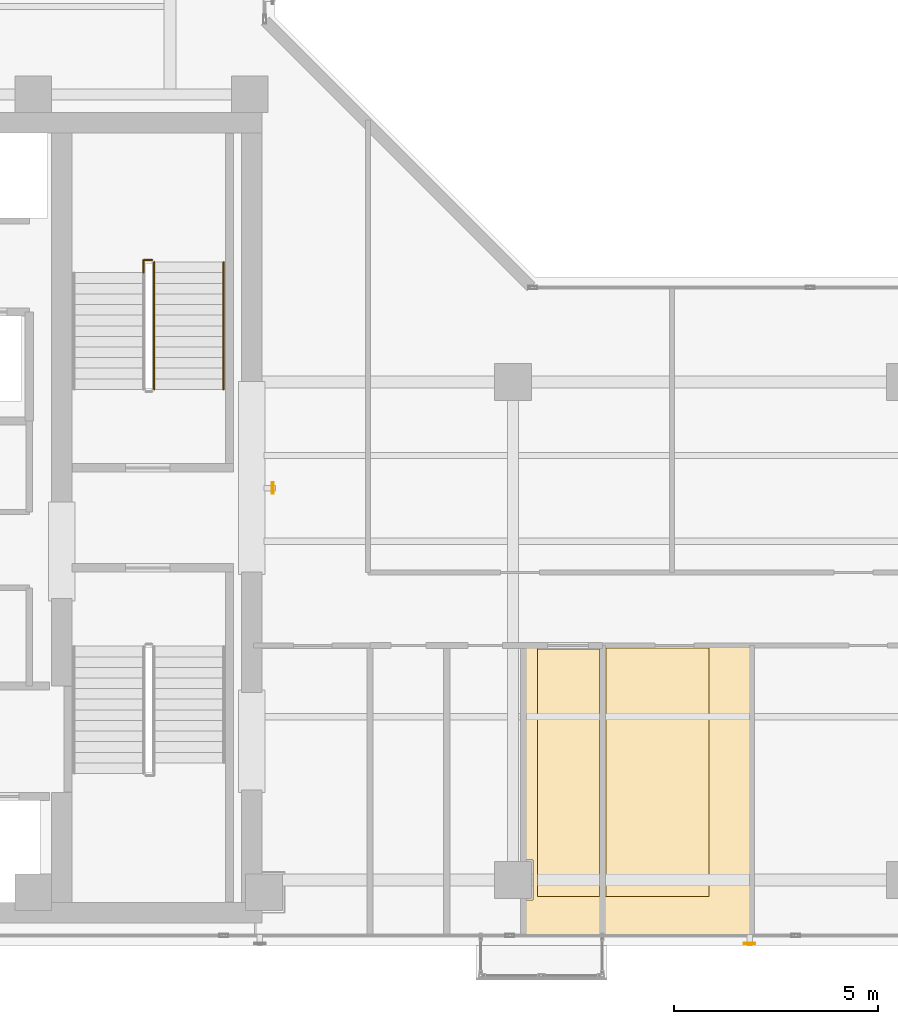
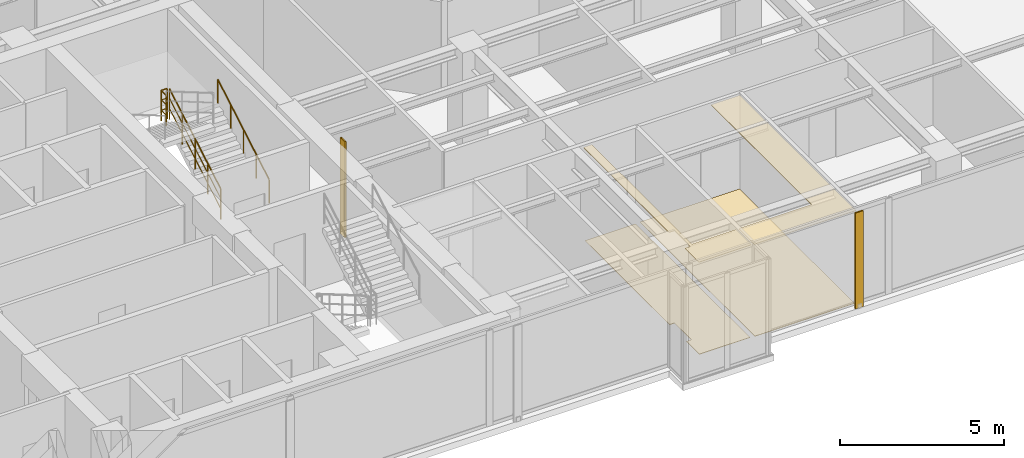
# One storey, part 21 of 22: 4 coverings, 3 railings, 2 shading devices.
"""IFC4 building model written with IfcOpenShell, lengths in metres."""

import ifcopenshell
import ifcopenshell.guid

model = None  # the IFC model being written
_history = None  # IfcOwnerHistory: only IFC2X3 demands one
_inside = {}  # id of a spatial element -> (the spatial element, [elements in it])
_under = {}  # id of a project, library or spatial element -> (it, [spatial elements below it])
_declared = {}  # id of a project -> (the project, [libraries it declares])
_typed = {}  # id of a type object -> (the type object, [elements of that type])
_made_of = {}  # id of a material, layer set ... -> (it, [elements and type objects made of it])


def new_model(schema):
    """Start an empty IFC model of exactly this schema.

    Asked for "IFC4X3", IfcOpenShell would pick the latest addendum, in which some entities
    have other attributes; the version numbers below select the first issue.
    IFC2X3 requires an IfcOwnerHistory on every rooted entity: one is made here for all.
    """
    global model, _history
    if schema == "IFC4X3":
        model = ifcopenshell.file(schema_version=(4, 3, 0, 0))
    else:
        model = ifcopenshell.file(schema=schema)
    _inside.clear()
    _under.clear()
    _declared.clear()
    _typed.clear()
    _made_of.clear()
    _history = None
    if model.schema == "IFC2X3":
        org = make("IfcOrganization", Name="unknown")
        user = make(
            "IfcPersonAndOrganization",
            ThePerson=make("IfcPerson", FamilyName="unknown"),
            TheOrganization=org,
        )
        app = make(
            "IfcApplication",
            ApplicationDeveloper=org,
            Version="unknown",
            ApplicationFullName="unknown",
            ApplicationIdentifier="unknown",
        )
        _history = make(
            "IfcOwnerHistory",
            OwningUser=user,
            OwningApplication=app,
            ChangeAction="ADDED",
            CreationDate=0,
        )
    return model


def make(cls, **values):
    """One entity of the class cls with the attributes given. An attribute that is None is left unset."""
    return model.create_entity(
        cls, **{name: value for name, value in values.items() if value is not None}
    )


def rooted(cls, **values):
    """An entity with a GlobalId (a new one), such as an element, a storey or a relation."""
    return make(cls, GlobalId=ifcopenshell.guid.new(), OwnerHistory=_history, **values)


def si_unit(unit_type, name, prefix=None):
    """IfcSIUnit, for example si_unit("LENGTHUNIT", "METRE", prefix="MILLI")."""
    return make("IfcSIUnit", UnitType=unit_type, Prefix=prefix, Name=name)


def assignment(units):
    """IfcUnitAssignment: the units of a project."""
    return None if units is None else make("IfcUnitAssignment", Units=units)


def point(xyz):
    """IfcCartesianPoint."""
    return None if xyz is None else make("IfcCartesianPoint", Coordinates=xyz)


def direction(xyz):
    """IfcDirection."""
    return None if xyz is None else make("IfcDirection", DirectionRatios=xyz)


def frame(location, z_axis=None, x_axis=None):
    """IfcAxis2Placement3D, a coordinate frame: its origin and axes. An axis left out is left unset."""
    return make(
        "IfcAxis2Placement3D",
        Location=point(location),
        Axis=direction(z_axis),
        RefDirection=direction(x_axis),
    )


def frame_2d(location, x_axis=None):
    """IfcAxis2Placement2D, a coordinate frame in the plane: its origin and x axis."""
    return make(
        "IfcAxis2Placement2D", Location=point(location), RefDirection=direction(x_axis)
    )


def origin():
    """The frame at (0, 0, 0) with its axes left unset."""
    return frame((0.0, 0.0, 0.0))


def origin_2d():
    """The frame at (0, 0) in the plane with its x axis left unset."""
    return frame_2d((0.0, 0.0))


def place(relative_to, where):
    """IfcLocalPlacement: puts the frame where relative to a parent placement (None: the world)."""
    return make(
        "IfcLocalPlacement", PlacementRelTo=relative_to, RelativePlacement=where
    )


def context(
    kind, dimensions, precision=None, world=None, true_north=None, identifier=None
):
    """IfcGeometricRepresentationContext, for example the 3D "Model" context."""
    return make(
        "IfcGeometricRepresentationContext",
        ContextIdentifier=identifier,
        ContextType=kind,
        CoordinateSpaceDimension=dimensions,
        Precision=precision,
        WorldCoordinateSystem=world,
        TrueNorth=true_north,
    )


def subcontext(parent, identifier, kind, view, scale=None):
    """IfcGeometricRepresentationSubContext, for example "Body" below "Model"."""
    return make(
        "IfcGeometricRepresentationSubContext",
        ContextIdentifier=identifier,
        ContextType=kind,
        ParentContext=parent,
        TargetScale=scale,
        TargetView=view,
    )


def project(units=None, contexts=None):
    """IfcProject with its units and contexts."""
    return rooted(
        "IfcProject",
        Name="project",
        RepresentationContexts=contexts,
        UnitsInContext=assignment(units),
    )


def spatial(cls, under=None, at=None, **own):
    """A site, building, storey or space (cls), placed at a placement, below another one or the project."""
    s = rooted(cls, ObjectPlacement=at, **own)
    if under is not None:
        _under.setdefault(under.id(), (under, []))[1].append(s)
    return s


def polyline(points):
    """IfcPolyline through the points."""
    return make("IfcPolyline", Points=[point(p) for p in points])


def profile(cls, at=None, kind="AREA", **sizes):
    """A parametric profile (cls). Its sizes go by their IFC names, for example OverallWidth=200.0."""
    return make(cls, ProfileType=kind, Position=at, **sizes)


def hollow_rectangle(**sizes):
    """IfcRectangleHollowProfileDef."""
    return profile("IfcRectangleHollowProfileDef", **sizes)


def circle(**sizes):
    """IfcCircleProfileDef."""
    return profile("IfcCircleProfileDef", **sizes)


def outline(outer, holes=None, kind="AREA"):
    """IfcArbitraryClosedProfileDef: a profile drawn as a closed curve; with holes, ...WithVoids."""
    if holes is None:
        return make("IfcArbitraryClosedProfileDef", ProfileType=kind, OuterCurve=outer)
    return make(
        "IfcArbitraryProfileDefWithVoids",
        ProfileType=kind,
        OuterCurve=outer,
        InnerCurves=holes,
    )


def extrude(swept, where, along, depth):
    """IfcExtrudedAreaSolid: the profile swept, set in the frame where, extruded along a direction by depth."""
    return make(
        "IfcExtrudedAreaSolid",
        SweptArea=swept,
        Position=where,
        ExtrudedDirection=direction(along),
        Depth=depth,
    )


def shape(context_of_items, identifier, shape_type, items):
    """IfcShapeRepresentation: the items that make up one representation, for example the "Body"."""
    return make(
        "IfcShapeRepresentation",
        ContextOfItems=context_of_items,
        RepresentationIdentifier=identifier,
        RepresentationType=shape_type,
        Items=items,
    )


def material(Name=None, Category=None):
    """IfcMaterial."""
    return make("IfcMaterial", Name=Name, Category=Category)


def layer(
    of_material, thickness, ventilated=None, Name=None, Category=None, Priority=None
):
    """IfcMaterialLayer: one layer of a wall or slab, of a material (None: an air gap)."""
    return make(
        "IfcMaterialLayer",
        Material=of_material,
        LayerThickness=thickness,
        IsVentilated=ventilated,
        Name=Name,
        Category=Category,
        Priority=Priority,
    )


def layer_set(layers, Name=None):
    """IfcMaterialLayerSet."""
    return make("IfcMaterialLayerSet", MaterialLayers=layers, LayerSetName=Name)


def material_profile(
    of_material, cross_section, Name=None, Category=None, Priority=None
):
    """IfcMaterialProfile: a cross section and its material."""
    return make(
        "IfcMaterialProfile",
        Name=Name,
        Material=of_material,
        Profile=cross_section,
        Priority=Priority,
        Category=Category,
    )


def profile_set(profiles, Name=None, composite=None):
    """IfcMaterialProfileSet."""
    return make(
        "IfcMaterialProfileSet",
        Name=Name,
        MaterialProfiles=profiles,
        CompositeProfile=composite,
    )


def made_of(thing, what):
    """Note that an element or type object is made of a material, layer set ...; save() writes the relation."""
    if what is not None:
        _made_of.setdefault(what.id(), (what, []))[1].append(thing)
    return thing


def type_object(cls, material=None, **own):
    """A type object (cls), such as IfcWallType, which elements share."""
    return made_of(rooted(cls, **own), material)


def element(
    cls,
    number,
    at=None,
    inside=None,
    cuts=None,
    type_object=None,
    material=None,
    context=None,
    identifier="Body",
    shape_type=None,
    held_by="IfcProductDefinitionShape",
    body=None,
    shapes=None,
    **own,
):
    """One element of the class cls, such as IfcWall. Its Tag is "e" and its number.

    at: its placement. inside: the storey or other place that contains it. cuts: it is an
    opening in that element (IfcRelVoidsElement). A single representation is given by context,
    identifier, shape_type and body (its items); several are given by shapes. held_by: the class
    of the entity that holds the representations. save() writes the other relations.
    """
    e = rooted(cls, Tag="e%d" % number, ObjectPlacement=at, **own)
    if body is not None:
        shapes = [shape(context, identifier, shape_type, body)]
    if shapes is not None:
        e.Representation = make(held_by, Representations=shapes)
    if inside is not None:
        _inside.setdefault(inside.id(), (inside, []))[1].append(e)
    if cuts is not None:
        rooted(
            "IfcRelVoidsElement", RelatingBuildingElement=cuts, RelatedOpeningElement=e
        )
    if type_object is not None:
        _typed.setdefault(type_object.id(), (type_object, []))[1].append(e)
    return made_of(e, material)


def aggregate(whole, parts):
    """IfcRelAggregates: a whole, such as a stair, and the parts it consists of."""
    return rooted("IfcRelAggregates", RelatingObject=whole, RelatedObjects=parts)


def save(model, path):
    """Write the relations noted so far, then the file.

    IfcRelAggregates (storeys below a building ...), IfcRelContainedInSpatialStructure (elements
    in a storey), IfcRelDefinesByType, IfcRelAssociatesMaterial and IfcRelDeclares: one each for
    every whole, place, type object, material and project.
    """
    for whole, parts in _under.values():
        aggregate(whole, parts)
    for where, things in _inside.values():
        rooted(
            "IfcRelContainedInSpatialStructure",
            RelatedElements=things,
            RelatingStructure=where,
        )
    for kind, things in _typed.values():
        rooted("IfcRelDefinesByType", RelatedObjects=things, RelatingType=kind)
    for what, things in _made_of.values():
        rooted("IfcRelAssociatesMaterial", RelatedObjects=things, RelatingMaterial=what)
    for by, libraries in _declared.values():
        rooted("IfcRelDeclares", RelatingContext=by, RelatedDefinitions=libraries)
    model.write(path)


model = new_model("IFC4")

# Units and contexts
model_context = context("Model", 3, precision=1e-05, world=origin(), true_north=direction((0.0, 1.0)))
body_context = subcontext(model_context, "Body", "Model", "MODEL_VIEW")
ifc_project = project(units=[si_unit("LENGTHUNIT", "METRE"), si_unit("AREAUNIT", "SQUARE_METRE"), si_unit("VOLUMEUNIT", "CUBIC_METRE"), si_unit("PLANEANGLEUNIT", "RADIAN"), si_unit("MASSUNIT", "GRAM", prefix="KILO")], contexts=[model_context])

# Site, building, storey
site_placement = place(None, origin())
site = spatial("IfcSite", under=ifc_project, at=site_placement, CompositionType="ELEMENT")
building_placement = place(site_placement, origin())
building = spatial("IfcBuilding", under=site, at=building_placement, Name="Kolvaren Waterfront Exchange", CompositionType="ELEMENT")
storey_placement = place(building_placement, frame((0.0, 0.0, 278.0)))
storey = spatial("IfcBuildingStorey", under=building, at=storey_placement, Name="L71", CompositionType="ELEMENT", Elevation=278.0)

# Coverings
ifc_material_1 = material(Name="Mineral fibre acoustic ceiling tile")
ifc_layer_1 = layer(ifc_material_1, 0.02490234375, Name="Mineral fibre acoustic ceiling tile")
ifc_layer_set_1 = layer_set([ifc_layer_1], Name="Mineral fibre acoustic ceiling tile")
covering_type_1 = type_object("IfcCoveringType", Name="ARC-CEIL-ACOUSTIC-25", PredefinedType="CEILING", material=ifc_layer_set_1)
covering_1_placement = place(storey_placement, frame((0.0, 0.0, 3.445068359375)))
element("IfcCovering", 1, at=covering_1_placement, inside=storey, type_object=covering_type_1, Name="L71 acoustic suspended ceiling 1", PredefinedType="CEILING", context=body_context, shape_type="SweptSolid", body=[
    extrude(outline(polyline([(27.5048828125, 5.68994140625), (27.68994140625, 5.68994140625), (27.68994140625, 4.7099609375), (27.5048828125, 4.7099609375), (27.5048828125, 3.864990234375), (29.35498046875, 3.864990234375), (29.35498046875, 4.800048828125), (27.800048828125, 4.800048828125), (27.800048828125, 10.89501953125), (27.5048828125, 10.89501953125), (27.5048828125, 5.68994140625)])), origin(), (0.0, 0.0, 1.0), 0.02490234375),
])
covering_2_placement = place(storey_placement, frame((0.0, 0.0, 3.445068359375)))
element("IfcCovering", 2, at=covering_2_placement, inside=storey, type_object=covering_type_1, Name="L71 acoustic suspended ceiling 3", PredefinedType="CEILING", context=body_context, shape_type="SweptSolid", body=[
    extrude(outline(polyline([(33.014892578125, 3.844970703125), (33.014892578125, 10.9150390625), (32.0, 10.9150390625), (32.0, 4.800048828125), (29.445068359375, 4.800048828125), (29.445068359375, 3.844970703125), (33.014892578125, 3.844970703125)])), origin(), (0.0, 0.0, 1.0), 0.02490234375),
])

# Shading devices
ifc_material_2 = material(Name="Anodised bronze aluminium 6063-T6", Category="aluminium")
ifc_material_profile = material_profile(ifc_material_2, hollow_rectangle(XDim=0.054931640625, YDim=0.280029296875, WallThickness=0.00439453125, at=origin_2d()), Name="BRZ-FIN-280x55x4.5")
ifc_profile_set = profile_set([ifc_material_profile], Name="Anodised bronze aluminium 6063-T6")
shading_device_type = type_object("IfcShadingDeviceType", Name="ARC-FIN-280", PredefinedType="USERDEFINED", material=ifc_profile_set)
for number, where, z_axis, x_axis, name in (
    (3, (33.0, 3.639892578125, 0.0), (0.0, 0.0, 1.0), (0.0, -1.0, 0.0), "L71 anodised bronze solar shading fin FIN-L71-S3"),
    (4, (21.31787109375, 14.800048828125, 0.0), (0.0, 0.0, 1.0), (1.0, 0.0, 0.0), "L71 anodised bronze solar shading fin FIN-L71-E1"),
):
    element("IfcShadingDevice", number, at=place(storey_placement, frame(where, z_axis=z_axis, x_axis=x_axis)), inside=storey, type_object=shading_device_type, Name=name, ObjectType="SOLAR FIN", PredefinedType="USERDEFINED", context=body_context, shape_type="SweptSolid", body=[
        extrude(hollow_rectangle(XDim=0.054931640625, YDim=0.280029296875, WallThickness=0.00439453125, at=origin_2d()), origin(), (0.0, 0.0, 1.0), 3.56005859375),
    ])

# Coverings
ifc_material_3 = material(Name="Slip-resistant porcelain tile")
ifc_layer_2 = layer(ifc_material_3, 0.014892578125, Name="Slip-resistant porcelain tile")
ifc_layer_set_2 = layer_set([ifc_layer_2], Name="Slip-resistant porcelain tile")
covering_type_2 = type_object("IfcCoveringType", Name="ARC-FLR-PORC-15", PredefinedType="FLOORING", material=ifc_layer_set_2)
covering_3_placement = place(storey_placement, origin())
element("IfcCovering", 5, at=covering_3_placement, inside=storey, type_object=covering_type_2, Name="L71 floor finish 1", PredefinedType="FLOORING", context=body_context, shape_type="SweptSolid", body=[
    extrude(outline(polyline([(27.5400390625, 4.68994140625), (27.5400390625, 3.89990234375), (29.320068359375, 3.89990234375), (29.320068359375, 10.860107421875), (27.5400390625, 10.860107421875), (27.5400390625, 5.7099609375), (27.7099609375, 5.7099609375), (27.7099609375, 4.68994140625), (27.5400390625, 4.68994140625)])), origin(), (0.0, 0.0, 1.0), 0.014892578125),
])
covering_4_placement = place(storey_placement, origin())
element("IfcCovering", 6, at=covering_4_placement, inside=storey, type_object=covering_type_2, Name="L71 floor finish 3", PredefinedType="FLOORING", context=body_context, shape_type="SweptSolid", body=[
    extrude(outline(polyline([(29.47998046875, 10.8798828125), (29.47998046875, 3.8798828125), (32.97998046875, 3.8798828125), (32.97998046875, 10.8798828125), (29.47998046875, 10.8798828125)])), origin(), (0.0, 0.0, 1.0), 0.014892578125),
])

# Railings
ifc_material_4 = material(Name="Stainless steel 316", Category="steel")
railing_type_1 = type_object("IfcRailingType", Name="ARC-GUARD-STAIR", PredefinedType="GUARDRAIL", material=ifc_material_4)
railing_1_placement = place(storey_placement, frame((18.409912109375, 17.219970703125, 0.152099609375)))
element("IfcRailing", 7, at=railing_1_placement, inside=storey, type_object=railing_type_1, Name="L71 ST2 stair guard 1", PredefinedType="GUARDRAIL", context=body_context, shape_type="SweptSolid", body=[
    extrude(circle(Radius=0.02392578125, at=origin_2d()), frame((0.0, 0.0, 1.1259765625), z_axis=(0.0, 0.86330811405, 0.504677223793), x_axis=(-1.0, 0.0, 0.0)), (0.0, 0.0, 1.0), 3.6142578125),
    extrude(circle(Radius=0.01611328125, at=origin_2d()), frame((0.0, 0.0, 0.390869140625), z_axis=(0.0, 0.86330811405, 0.504677223793), x_axis=(-1.0, 0.0, 0.0)), (0.0, 0.0, 1.0), 3.6142578125),
    extrude(circle(Radius=0.01611328125, at=origin_2d()), frame((0.0, 0.0, 0.7705078125), z_axis=(0.0, 0.86330811405, 0.504677223793), x_axis=(-1.0, 0.0, 0.0)), (0.0, 0.0, 1.0), 3.6142578125),
    extrude(circle(Radius=0.02099609375, at=origin_2d()), origin(), (0.0, 0.0, 1.0), 1.101806640625),
    extrude(circle(Radius=0.02099609375, at=origin_2d()), frame((0.0, 0.780029296875, 0.4560546875)), (0.0, 0.0, 1.0), 1.101806640625),
    extrude(circle(Radius=0.02099609375, at=origin_2d()), frame((0.0, 1.56005859375, 0.912109375)), (0.0, 0.0, 1.0), 1.101806640625),
    extrude(circle(Radius=0.02099609375, at=origin_2d()), frame((0.0, 2.340087890625, 1.367919921875)), (0.0, 0.0, 1.0), 1.101806640625),
    extrude(circle(Radius=0.02099609375, at=origin_2d()), frame((0.0, 3.1201171875, 1.823974609375)), (0.0, 0.0, 1.0), 1.101806640625),
])
railing_2_placement = place(storey_placement, frame((18.360107421875, 20.389892578125, 1.97607421875)))
element("IfcRailing", 8, at=railing_2_placement, inside=storey, type_object=railing_type_1, Name="L71 ST2 stair guard 2", PredefinedType="GUARDRAIL", context=body_context, shape_type="SweptSolid", body=[
    extrude(circle(Radius=0.02392578125, at=origin_2d()), frame((0.0, 0.0, 1.1259765625), z_axis=(-1.0, 0.0, 0.0), x_axis=(0.0, -1.0, 0.0)), (0.0, 0.0, 1.0), 0.210205078125),
    extrude(circle(Radius=0.01611328125, at=origin_2d()), frame((0.0, 0.0, 0.390869140625), z_axis=(-1.0, 0.0, 0.0), x_axis=(0.0, -1.0, 0.0)), (0.0, 0.0, 1.0), 0.210205078125),
    extrude(circle(Radius=0.01611328125, at=origin_2d()), frame((0.0, 0.0, 0.7705078125), z_axis=(-1.0, 0.0, 0.0), x_axis=(0.0, -1.0, 0.0)), (0.0, 0.0, 1.0), 0.210205078125),
    extrude(circle(Radius=0.02392578125, at=origin_2d()), frame((-0.210205078125, 0.0, 1.1259765625), z_axis=(0.0, -1.0, 0.0), x_axis=(1.0, 0.0, 0.0)), (0.0, 0.0, 1.0), 0.309814453125),
    extrude(circle(Radius=0.01611328125, at=origin_2d()), frame((-0.210205078125, 0.0, 0.390869140625), z_axis=(0.0, -1.0, 0.0), x_axis=(1.0, 0.0, 0.0)), (0.0, 0.0, 1.0), 0.309814453125),
    extrude(circle(Radius=0.01611328125, at=origin_2d()), frame((-0.210205078125, 0.0, 0.7705078125), z_axis=(0.0, -1.0, 0.0), x_axis=(1.0, 0.0, 0.0)), (0.0, 0.0, 1.0), 0.309814453125),
    extrude(circle(Radius=0.02099609375, at=origin_2d()), origin(), (0.0, 0.0, 1.0), 1.101806640625),
    extrude(circle(Radius=0.02099609375, at=origin_2d()), frame((-0.210205078125, 0.0, 0.0)), (0.0, 0.0, 1.0), 1.101806640625),
    extrude(circle(Radius=0.02099609375, at=origin_2d()), frame((-0.210205078125, -0.309814453125, 0.0)), (0.0, 0.0, 1.0), 1.101806640625),
])
railing_type_2 = type_object("IfcRailingType", Name="ARC-HANDRAIL-900", PredefinedType="HANDRAIL", material=ifc_material_4)
railing_3_placement = place(storey_placement, frame((20.110107421875, 17.219970703125, 0.152099609375)))
element("IfcRailing", 9, at=railing_3_placement, inside=storey, type_object=railing_type_2, Name="L71 ST2 stair handrail 1", PredefinedType="HANDRAIL", context=body_context, shape_type="SweptSolid", body=[
    extrude(circle(Radius=0.02392578125, at=origin_2d()), frame((0.0, 0.0, 0.8759765625), z_axis=(0.0, 0.86330811405, 0.504677223793), x_axis=(-1.0, 0.0, 0.0)), (0.0, 0.0, 1.0), 3.6142578125),
    extrude(circle(Radius=0.02099609375, at=origin_2d()), origin(), (0.0, 0.0, 1.0), 0.851806640625),
    extrude(circle(Radius=0.02099609375, at=origin_2d()), frame((0.0, 0.780029296875, 0.4560546875)), (0.0, 0.0, 1.0), 0.851806640625),
    extrude(circle(Radius=0.02099609375, at=origin_2d()), frame((0.0, 1.56005859375, 0.912109375)), (0.0, 0.0, 1.0), 0.851806640625),
    extrude(circle(Radius=0.02099609375, at=origin_2d()), frame((0.0, 2.340087890625, 1.367919921875)), (0.0, 0.0, 1.0), 0.851806640625),
    extrude(circle(Radius=0.02099609375, at=origin_2d()), frame((0.0, 3.1201171875, 1.823974609375)), (0.0, 0.0, 1.0), 0.851806640625),
])

save(model, "model.ifc")
